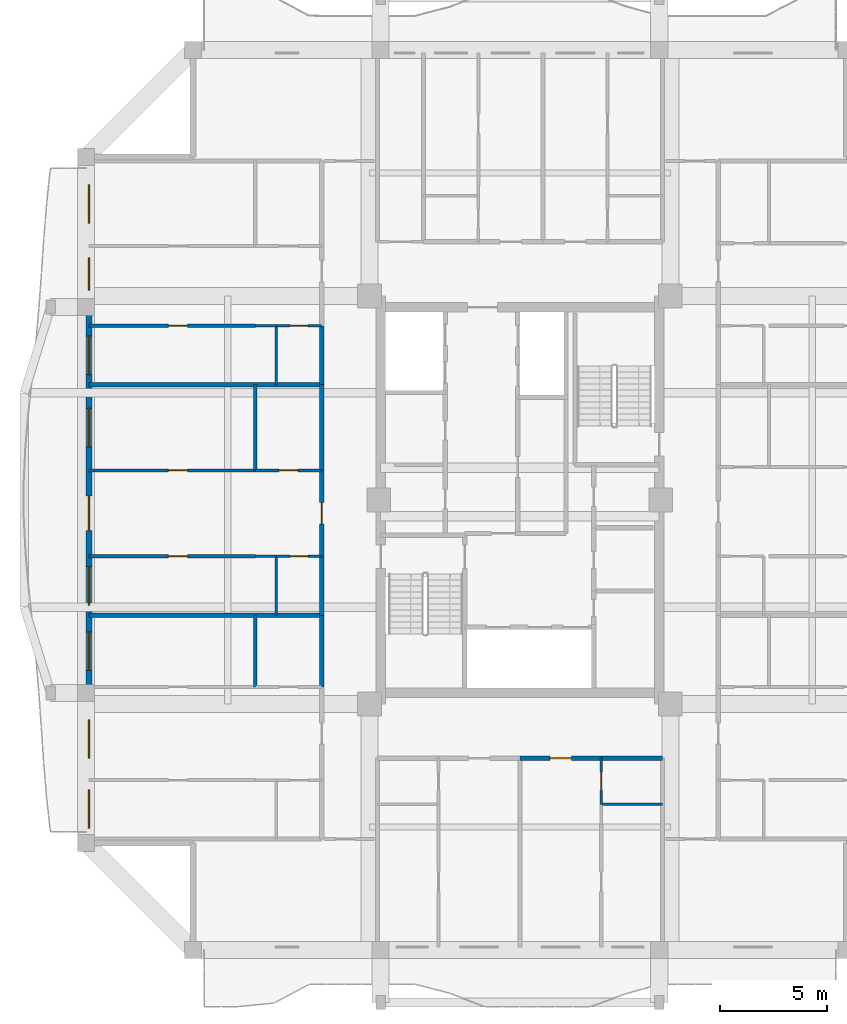
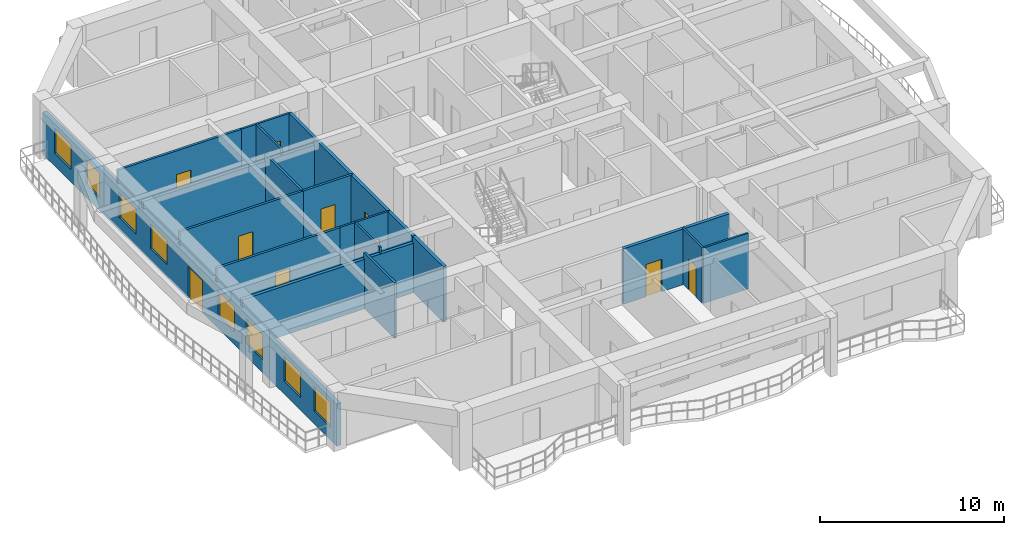
# One storey, part 3 of 13: 24 walls, 10 doors, 8 windows, 18 openings.
"""IFC4 building model written with IfcOpenShell, lengths in metres."""

from ifc_helpers import new_model, si_unit, direction, frame, frame_2d, origin, place, context, subcontext, project, spatial, rectangle, extrude, source, transform, mapped, material, layer, layer_set, type_object, element, fill, save


model = new_model("IFC4")

# Units and contexts
model_context = context("Model", 3, precision=1e-05, world=origin(), true_north=direction((0.0, 1.0)))
body_context = subcontext(model_context, "Body", "Model", "MODEL_VIEW")
ifc_project = project(units=[si_unit("LENGTHUNIT", "METRE"), si_unit("AREAUNIT", "SQUARE_METRE"), si_unit("VOLUMEUNIT", "CUBIC_METRE"), si_unit("PLANEANGLEUNIT", "RADIAN"), si_unit("MASSUNIT", "GRAM", prefix="KILO")], contexts=[model_context])

# Site, building, storey
site_placement = place(None, origin())
site = spatial("IfcSite", under=ifc_project, at=site_placement, CompositionType="ELEMENT")
building_placement = place(site_placement, origin())
building = spatial("IfcBuilding", under=site, at=building_placement, Name="Saelheon Loggia Tower", CompositionType="ELEMENT")
storey_placement = place(building_placement, frame((0.0, 0.0, 172.89990234375)))
storey = spatial("IfcBuildingStorey", under=building, at=storey_placement, Name="L54", CompositionType="ELEMENT", Elevation=172.89990234375)

# Wall, openings, windows, door
ifc_material_1 = material(Name="Architectural Precast Concrete C40/50", Category="concrete")
ifc_layer_1 = layer(ifc_material_1, 0.280029296875)
ifc_layer_set_1 = layer_set([ifc_layer_1], Name="Architectural Precast Concrete C40/50")
wall_type_1 = type_object("IfcWallType", Name="Wall_Ext_Loggia_280", PredefinedType="SOLIDWALL", material=ifc_layer_set_1)
wall_1_placement = place(storey_placement, frame((17.889892578125, 11.0, 0.0), z_axis=(0.0, 0.0, 1.0), x_axis=(0.0, 1.0, 0.0)))
wall_1 = element("IfcWall", 1, at=wall_1_placement, inside=storey, type_object=wall_type_1, Name="L54 West Loggia Inner Wall", PredefinedType="SOLIDWALL", context=body_context, shape_type="SweptSolid", body=[
    extrude(rectangle(XDim=32.0, YDim=0.280029296875, at=frame_2d((16.0, 0.0))), origin(), (0.0, 0.0, 1.0), 2.7900390625),
])
opening_1_placement = place(wall_1_placement, frame((0.68505859375, 0.0, 0.85009765625)))
opening_1 = element("IfcOpeningElement", 2, at=opening_1_placement, cuts=wall_1, Name="Opening WN-01", PredefinedType="OPENING", context=body_context, shape_type="SweptSolid", body=[
    extrude(rectangle(XDim=1.800048828125, YDim=1.64990234375, at=frame_2d((0.89990234375, 0.824951171875))), frame((0.0, 0.152099609375, 0.0), z_axis=(0.0, -1.0, 0.0), x_axis=(1.0, 0.0, 0.0)), (0.0, 0.0, 1.0), 0.303955078125),
])
opening_2_placement = place(wall_1_placement, frame((3.945068359375, 0.0, 0.85009765625)))
opening_2 = element("IfcOpeningElement", 3, at=opening_2_placement, cuts=wall_1, Name="Opening WN-01", PredefinedType="OPENING", context=body_context, shape_type="SweptSolid", body=[
    extrude(rectangle(XDim=1.800048828125, YDim=1.64990234375, at=frame_2d((0.89990234375, 0.824951171875))), frame((0.0, 0.152099609375, 0.0), z_axis=(0.0, -1.0, 0.0), x_axis=(1.0, 0.0, 0.0)), (0.0, 0.0, 1.0), 0.303955078125),
])
opening_3_placement = place(wall_1_placement, frame((8.050537109375, 0.0, 0.85009765625)))
opening_3 = element("IfcOpeningElement", 4, at=opening_3_placement, cuts=wall_1, Name="Opening WN-01", PredefinedType="OPENING", context=body_context, shape_type="SweptSolid", body=[
    extrude(rectangle(XDim=1.800048828125, YDim=1.64990234375, at=frame_2d((0.89990234375, 0.824951171875))), frame((0.0, 0.152099609375, 0.0), z_axis=(0.0, -1.0, 0.0), x_axis=(1.0, 0.0, 0.0)), (0.0, 0.0, 1.0), 0.303955078125),
])
opening_4_placement = place(wall_1_placement, frame((11.09619140625, 0.0, 0.85009765625)))
opening_4 = element("IfcOpeningElement", 5, at=opening_4_placement, cuts=wall_1, Name="Opening WN-01", PredefinedType="OPENING", context=body_context, shape_type="SweptSolid", body=[
    extrude(rectangle(XDim=1.800048828125, YDim=1.64990234375, at=frame_2d((0.89990234375, 0.824951171875))), frame((0.0, 0.152099609375, 0.0), z_axis=(0.0, -1.0, 0.0), x_axis=(1.0, 0.0, 0.0)), (0.0, 0.0, 1.0), 0.303955078125),
])
opening_5_placement = place(wall_1_placement, frame((14.574951171875, 0.0, 0.0)))
opening_5 = element("IfcOpeningElement", 6, at=opening_5_placement, cuts=wall_1, Name="Opening DLG-1", PredefinedType="OPENING", context=body_context, shape_type="SweptSolid", body=[
    extrude(rectangle(XDim=1.60009765625, YDim=2.14990234375, at=frame_2d((0.800048828125, 1.074951171875))), frame((0.0, 0.152099609375, 0.0), z_axis=(0.0, -1.0, 0.0), x_axis=(1.0, 0.0, 0.0)), (0.0, 0.0, 1.0), 0.303955078125),
])
opening_6_placement = place(wall_1_placement, frame((18.478759765625, 0.0, 0.85009765625)))
opening_6 = element("IfcOpeningElement", 7, at=opening_6_placement, cuts=wall_1, Name="Opening WN-01", PredefinedType="OPENING", context=body_context, shape_type="SweptSolid", body=[
    extrude(rectangle(XDim=1.800048828125, YDim=1.64990234375, at=frame_2d((0.89990234375, 0.824951171875))), frame((0.0, 0.152099609375, 0.0), z_axis=(0.0, -1.0, 0.0), x_axis=(1.0, 0.0, 0.0)), (0.0, 0.0, 1.0), 0.303955078125),
])
opening_7_placement = place(wall_1_placement, frame((21.853759765625, 0.0, 0.85009765625)))
opening_7 = element("IfcOpeningElement", 8, at=opening_7_placement, cuts=wall_1, Name="Opening WN-01", PredefinedType="OPENING", context=body_context, shape_type="SweptSolid", body=[
    extrude(rectangle(XDim=1.800048828125, YDim=1.64990234375, at=frame_2d((0.89990234375, 0.824951171875))), frame((0.0, 0.152099609375, 0.0), z_axis=(0.0, -1.0, 0.0), x_axis=(1.0, 0.0, 0.0)), (0.0, 0.0, 1.0), 0.303955078125),
])
opening_8_placement = place(wall_1_placement, frame((25.796142578125, 0.0, 0.85009765625)))
opening_8 = element("IfcOpeningElement", 9, at=opening_8_placement, cuts=wall_1, Name="Opening WN-02", PredefinedType="OPENING", context=body_context, shape_type="SweptSolid", body=[
    extrude(rectangle(XDim=1.5, YDim=1.64990234375, at=frame_2d((0.75, 0.824951171875))), frame((0.0, 0.152099609375, 0.0), z_axis=(0.0, -1.0, 0.0), x_axis=(1.0, 0.0, 0.0)), (0.0, 0.0, 1.0), 0.303955078125),
])
opening_9_placement = place(wall_1_placement, frame((28.90625, 0.0, 0.85009765625)))
opening_9 = element("IfcOpeningElement", 10, at=opening_9_placement, cuts=wall_1, Name="Opening WN-01", PredefinedType="OPENING", context=body_context, shape_type="SweptSolid", body=[
    extrude(rectangle(XDim=1.800048828125, YDim=1.64990234375, at=frame_2d((0.89990234375, 0.824951171875))), frame((0.0, 0.152099609375, 0.0), z_axis=(0.0, -1.0, 0.0), x_axis=(1.0, 0.0, 0.0)), (0.0, 0.0, 1.0), 0.303955078125),
])
ifc_material_2 = material(Name="Thermal-Break Aluminium and Triple Low-E Glass", Category="aluminium")
window_type_1 = type_object("IfcWindowType", Name="Win_Dwelling_1800x1650", PartitioningType="SINGLE_PANEL", PredefinedType="WINDOW", material=ifc_material_2)
shared_shape_1 = source(origin(), body_context, "Body", "SweptSolid", [
    extrude(rectangle(XDim=1.800048828125, YDim=1.64990234375, at=frame_2d((0.89990234375, 0.824951171875))), frame((0.0, 0.030029296875, 0.0), z_axis=(0.0, -1.0, 0.0), x_axis=(1.0, 0.0, 0.0)), (0.0, 0.0, 1.0), 0.06005859375),
])
window_1_placement = place(opening_1_placement, origin())
window_1 = element("IfcWindow", 11, at=window_1_placement, inside=storey, type_object=window_type_1, Name="L54 W Dwelling Window 1", OverallHeight=1.64990234375, OverallWidth=1.800048828125, PartitioningType="SINGLE_PANEL", PredefinedType="WINDOW", context=body_context, shape_type="MappedRepresentation", body=[
    mapped(shared_shape_1, transform((0.0, 0.0, 0.0), scale=1.0)),
])
fill(opening_1, window_1)
window_2_placement = place(opening_2_placement, origin())
window_2 = element("IfcWindow", 12, at=window_2_placement, inside=storey, type_object=window_type_1, Name="L54 W Dwelling Window 2", OverallHeight=1.64990234375, OverallWidth=1.800048828125, PartitioningType="SINGLE_PANEL", PredefinedType="WINDOW", context=body_context, shape_type="MappedRepresentation", body=[
    mapped(shared_shape_1, transform((0.0, 0.0, 0.0), scale=1.0)),
])
fill(opening_2, window_2)
window_3_placement = place(opening_3_placement, origin())
window_3 = element("IfcWindow", 13, at=window_3_placement, inside=storey, type_object=window_type_1, Name="L54 W Dwelling Window 3", OverallHeight=1.64990234375, OverallWidth=1.800048828125, PartitioningType="SINGLE_PANEL", PredefinedType="WINDOW", context=body_context, shape_type="MappedRepresentation", body=[
    mapped(shared_shape_1, transform((0.0, 0.0, 0.0), scale=1.0)),
])
fill(opening_3, window_3)
window_4_placement = place(opening_4_placement, origin())
window_4 = element("IfcWindow", 14, at=window_4_placement, inside=storey, type_object=window_type_1, Name="L54 W Dwelling Window 4", OverallHeight=1.64990234375, OverallWidth=1.800048828125, PartitioningType="SINGLE_PANEL", PredefinedType="WINDOW", context=body_context, shape_type="MappedRepresentation", body=[
    mapped(shared_shape_1, transform((0.0, 0.0, 0.0), scale=1.0)),
])
fill(opening_4, window_4)
window_5_placement = place(opening_6_placement, origin())
window_5 = element("IfcWindow", 15, at=window_5_placement, inside=storey, type_object=window_type_1, Name="L54 W Dwelling Window 6", OverallHeight=1.64990234375, OverallWidth=1.800048828125, PartitioningType="SINGLE_PANEL", PredefinedType="WINDOW", context=body_context, shape_type="MappedRepresentation", body=[
    mapped(shared_shape_1, transform((0.0, 0.0, 0.0), scale=1.0)),
])
fill(opening_6, window_5)
window_6_placement = place(opening_7_placement, origin())
window_6 = element("IfcWindow", 16, at=window_6_placement, inside=storey, type_object=window_type_1, Name="L54 W Dwelling Window 7", OverallHeight=1.64990234375, OverallWidth=1.800048828125, PartitioningType="SINGLE_PANEL", PredefinedType="WINDOW", context=body_context, shape_type="MappedRepresentation", body=[
    mapped(shared_shape_1, transform((0.0, 0.0, 0.0), scale=1.0)),
])
fill(opening_7, window_6)
window_7_placement = place(opening_9_placement, origin())
window_7 = element("IfcWindow", 17, at=window_7_placement, inside=storey, type_object=window_type_1, Name="L54 W Dwelling Window 9", OverallHeight=1.64990234375, OverallWidth=1.800048828125, PartitioningType="SINGLE_PANEL", PredefinedType="WINDOW", context=body_context, shape_type="MappedRepresentation", body=[
    mapped(shared_shape_1, transform((0.0, 0.0, 0.0), scale=1.0)),
])
fill(opening_9, window_7)
ifc_material_3 = material(Name="Thermal-Break Aluminium Sliding Glazed Door", Category="aluminium")
door_type_1 = type_object("IfcDoorType", Name="Door_LoggiaSlide_1600", OperationType="SLIDING_TO_LEFT", PredefinedType="DOOR", material=ifc_material_3)
shared_shape_2 = source(origin(), body_context, "Body", "SweptSolid", [
    extrude(rectangle(XDim=1.60009765625, YDim=2.14990234375, at=frame_2d((0.800048828125, 1.074951171875))), frame((0.0, 0.02490234375, 0.0), z_axis=(0.0, -1.0, 0.0), x_axis=(1.0, 0.0, 0.0)), (0.0, 0.0, 1.0), 0.050048828125),
])
door_1_placement = place(opening_5_placement, origin())
door_1 = element("IfcDoor", 18, at=door_1_placement, inside=storey, type_object=door_type_1, Name="L54 W Loggia Access Door", OperationType="SLIDING_TO_LEFT", OverallHeight=2.14990234375, OverallWidth=1.60009765625, PredefinedType="DOOR", context=body_context, shape_type="MappedRepresentation", body=[
    mapped(shared_shape_2, transform((0.0, 0.0, 0.0), scale=1.0)),
])
fill(opening_5, door_1)
window_type_2 = type_object("IfcWindowType", Name="Win_Dwelling_1500x1650", PartitioningType="SINGLE_PANEL", PredefinedType="WINDOW", material=ifc_material_2)
shared_shape_3 = source(origin(), body_context, "Body", "SweptSolid", [
    extrude(rectangle(XDim=1.5, YDim=1.64990234375, at=frame_2d((0.75, 0.824951171875))), frame((0.0, 0.030029296875, 0.0), z_axis=(0.0, -1.0, 0.0), x_axis=(1.0, 0.0, 0.0)), (0.0, 0.0, 1.0), 0.06005859375),
])
window_8_placement = place(opening_8_placement, origin())
window_8 = element("IfcWindow", 19, at=window_8_placement, inside=storey, type_object=window_type_2, Name="L54 W Dwelling Window 8", OverallHeight=1.64990234375, OverallWidth=1.5, PartitioningType="SINGLE_PANEL", PredefinedType="WINDOW", context=body_context, shape_type="MappedRepresentation", body=[
    mapped(shared_shape_3, transform((0.0, 0.0, 0.0), scale=1.0)),
])
fill(opening_8, window_8)

# Walls
ifc_material_4 = material(Name="Lightweight Autoclaved Aerated Concrete Block and Acoustic Gypsum", Category="concrete")
ifc_layer_2 = layer(ifc_material_4, 0.14990234375)
ifc_layer_set_2 = layer_set([ifc_layer_2], Name="Lightweight Autoclaved Aerated Concrete Block and Acoustic Gypsum")
wall_type_2 = type_object("IfcWallType", Name="Wall_Part_150", PredefinedType="PARTITIONING", material=ifc_layer_set_2)
wall_2_placement = place(storey_placement, frame((25.64990234375, 18.280029296875, 0.0), z_axis=(0.0, 0.0, 1.0), x_axis=(0.0, 1.0, 0.0)))
element("IfcWall", 20, at=wall_2_placement, inside=storey, type_object=wall_type_2, Name="L54 W Partition V07", PredefinedType="PARTITIONING", context=body_context, shape_type="SweptSolid", body=[
    extrude(rectangle(XDim=3.341064453125, YDim=0.14990234375, at=frame_2d((1.67041015625, 0.0))), origin(), (0.0, 0.0, 1.0), 3.690185546875),
])
wall_3_placement = place(storey_placement, frame((25.64990234375, 28.37890625, 0.0), z_axis=(0.0, 0.0, 1.0), x_axis=(0.0, 1.0, 0.0)))
element("IfcWall", 21, at=wall_3_placement, inside=storey, type_object=wall_type_2, Name="L54 W Partition V18", PredefinedType="PARTITIONING", context=body_context, shape_type="SweptSolid", body=[
    extrude(rectangle(XDim=4.0, YDim=0.14990234375, at=frame_2d((2.0, 0.0))), origin(), (0.0, 0.0, 1.0), 3.690185546875),
])

# Wall, opening, door
wall_4_placement = place(storey_placement, frame((25.64990234375, 24.37109375, 0.0), z_axis=(0.0, 0.0, 1.0), x_axis=(-1.0, 0.0, 0.0)))
wall_4 = element("IfcWall", 22, at=wall_4_placement, inside=storey, type_object=wall_type_2, Name="L54 W Partition U21", PredefinedType="PARTITIONING", context=body_context, shape_type="SweptSolid", body=[
    extrude(rectangle(XDim=7.75, YDim=0.14990234375, at=frame_2d((3.875, 0.0))), origin(), (0.0, 0.0, 1.0), 3.690185546875),
])
opening_10_placement = place(wall_4_placement, frame((3.15966796875, 0.0, 0.0)))
opening_10 = element("IfcOpeningElement", 23, at=opening_10_placement, cuts=wall_4, Name="Opening D-IN2", PredefinedType="OPENING", context=body_context, shape_type="SweptSolid", body=[
    extrude(rectangle(XDim=0.89990234375, YDim=2.10009765625, at=frame_2d((0.449951171875, 1.050048828125))), frame((0.0, 0.0869140625, 0.0), z_axis=(0.0, -1.0, 0.0), x_axis=(1.0, 0.0, 0.0)), (0.0, 0.0, 1.0), 0.173828125),
])
ifc_material_5 = material(Name="Engineered Oak Flush Door", Category="timber")
door_type_2 = type_object("IfcDoorType", Name="Door_Int_900", OperationType="NOTDEFINED", PredefinedType="DOOR", material=ifc_material_5)
shared_shape_4 = source(origin(), body_context, "Body", "SweptSolid", [
    extrude(rectangle(XDim=0.89990234375, YDim=2.10009765625, at=frame_2d((0.449951171875, 1.050048828125))), frame((0.0, 0.02490234375, 0.0), z_axis=(0.0, -1.0, 0.0), x_axis=(1.0, 0.0, 0.0)), (0.0, 0.0, 1.0), 0.050048828125),
])
door_2_placement = place(opening_10_placement, origin())
door_2 = element("IfcDoor", 24, at=door_2_placement, inside=storey, type_object=door_type_2, Name="Unit U06 Kitchen Door", OperationType="SINGLE_SWING_RIGHT", OverallHeight=2.10009765625, OverallWidth=0.89990234375, PredefinedType="DOOR", context=body_context, shape_type="MappedRepresentation", body=[
    mapped(shared_shape_4, transform((0.0, 0.0, 0.0), scale=1.0)),
])
fill(opening_10, door_2)

wall_5_placement = place(storey_placement, frame((28.75, 28.37890625, 0.0), z_axis=(0.0, 0.0, 1.0), x_axis=(-1.0, 0.0, 0.0)))
wall_5 = element("IfcWall", 25, at=wall_5_placement, inside=storey, type_object=wall_type_2, Name="L54 W Partition U22", PredefinedType="PARTITIONING", context=body_context, shape_type="SweptSolid", body=[
    extrude(rectangle(XDim=3.10009765625, YDim=0.14990234375, at=frame_2d((1.550048828125, 0.0))), origin(), (0.0, 0.0, 1.0), 3.690185546875),
])
opening_11_placement = place(wall_5_placement, frame((1.10009765625, 0.0, 0.0)))
opening_11 = element("IfcOpeningElement", 26, at=opening_11_placement, cuts=wall_5, Name="Opening D-IN2", PredefinedType="OPENING", context=body_context, shape_type="SweptSolid", body=[
    extrude(rectangle(XDim=0.89990234375, YDim=2.10009765625, at=frame_2d((0.449951171875, 1.050048828125))), frame((0.0, 0.0869140625, 0.0), z_axis=(0.0, -1.0, 0.0), x_axis=(1.0, 0.0, 0.0)), (0.0, 0.0, 1.0), 0.173828125),
])
door_3_placement = place(opening_11_placement, origin())
door_3 = element("IfcDoor", 27, at=door_3_placement, inside=storey, type_object=door_type_2, Name="Unit U06 Dressing Closet Door", OperationType="SINGLE_SWING_LEFT", OverallHeight=2.10009765625, OverallWidth=0.89990234375, PredefinedType="DOOR", context=body_context, shape_type="MappedRepresentation", body=[
    mapped(shared_shape_4, transform((0.0, 0.0, 0.0), scale=1.0)),
])
fill(opening_11, door_3)

wall_6_placement = place(storey_placement, frame((25.64990234375, 28.37890625, 0.0), z_axis=(0.0, 0.0, 1.0), x_axis=(-1.0, 0.0, 0.0)))
wall_6 = element("IfcWall", 28, at=wall_6_placement, inside=storey, type_object=wall_type_2, Name="L54 W Partition U23", PredefinedType="PARTITIONING", context=body_context, shape_type="SweptSolid", body=[
    extrude(rectangle(XDim=7.75, YDim=0.14990234375, at=frame_2d((3.875, 0.0))), origin(), (0.0, 0.0, 1.0), 3.690185546875),
])
opening_12_placement = place(wall_6_placement, frame((3.15966796875, 0.0, 0.0)))
opening_12 = element("IfcOpeningElement", 29, at=opening_12_placement, cuts=wall_6, Name="Opening D-IN2", PredefinedType="OPENING", context=body_context, shape_type="SweptSolid", body=[
    extrude(rectangle(XDim=0.89990234375, YDim=2.10009765625, at=frame_2d((0.449951171875, 1.050048828125))), frame((0.0, 0.0869140625, 0.0), z_axis=(0.0, -1.0, 0.0), x_axis=(1.0, 0.0, 0.0)), (0.0, 0.0, 1.0), 0.173828125),
])
door_4_placement = place(opening_12_placement, origin())
door_4 = element("IfcDoor", 30, at=door_4_placement, inside=storey, type_object=door_type_2, Name="Unit U06 Bedroom 1 Door", OperationType="SINGLE_SWING_RIGHT", OverallHeight=2.10009765625, OverallWidth=0.89990234375, PredefinedType="DOOR", context=body_context, shape_type="MappedRepresentation", body=[
    mapped(shared_shape_4, transform((0.0, 0.0, 0.0), scale=1.0)),
])
fill(opening_12, door_4)

wall_7_placement = place(storey_placement, frame((25.64990234375, 35.12890625, 0.0), z_axis=(0.0, 0.0, 1.0), x_axis=(-1.0, 0.0, 0.0)))
wall_7 = element("IfcWall", 31, at=wall_7_placement, inside=storey, type_object=wall_type_2, Name="L54 W Partition U32", PredefinedType="PARTITIONING", context=body_context, shape_type="SweptSolid", body=[
    extrude(rectangle(XDim=7.75, YDim=0.14990234375, at=frame_2d((3.875, 0.0))), origin(), (0.0, 0.0, 1.0), 3.690185546875),
])
opening_13_placement = place(wall_7_placement, frame((3.15966796875, 0.0, 0.0)))
opening_13 = element("IfcOpeningElement", 32, at=opening_13_placement, cuts=wall_7, Name="Opening D-IN2", PredefinedType="OPENING", context=body_context, shape_type="SweptSolid", body=[
    extrude(rectangle(XDim=0.89990234375, YDim=2.10009765625, at=frame_2d((0.449951171875, 1.050048828125))), frame((0.0, 0.0869140625, 0.0), z_axis=(0.0, -1.0, 0.0), x_axis=(1.0, 0.0, 0.0)), (0.0, 0.0, 1.0), 0.173828125),
])
door_5_placement = place(opening_13_placement, origin())
door_5 = element("IfcDoor", 33, at=door_5_placement, inside=storey, type_object=door_type_2, Name="Unit U07 Kitchen Door", OperationType="SINGLE_SWING_LEFT", OverallHeight=2.10009765625, OverallWidth=0.89990234375, PredefinedType="DOOR", context=body_context, shape_type="MappedRepresentation", body=[
    mapped(shared_shape_4, transform((0.0, 0.0, 0.0), scale=1.0)),
])
fill(opening_13, door_5)

ifc_material_6 = material(Name="Double Acoustic Stud and Fireboard Partition", Category="gypsum")
ifc_layer_3 = layer(ifc_material_6, 0.199951171875)
ifc_layer_set_3 = layer_set([ifc_layer_3], Name="Double Acoustic Stud and Fireboard Partition")
wall_type_3 = type_object("IfcWallType", Name="Wall_Party_200", PredefinedType="PARTITIONING", material=ifc_layer_set_3)
wall_8_placement = place(storey_placement, frame((38.0, 14.949951171875, 0.0), z_axis=(0.0, 0.0, 1.0), x_axis=(1.0, 0.0, 0.0)))
wall_8 = element("IfcWall", 34, at=wall_8_placement, inside=storey, type_object=wall_type_3, Name="L54 S Partition V10", PredefinedType="PARTITIONING", context=body_context, shape_type="SweptSolid", body=[
    extrude(rectangle(XDim=3.800048828125, YDim=0.199951171875, at=frame_2d((1.89990234375, 0.0))), origin(), (0.0, 0.0, 1.0), 3.690185546875),
])
opening_14_placement = place(wall_8_placement, frame((1.39990234375, 0.0, 0.0)))
opening_14 = element("IfcOpeningElement", 35, at=opening_14_placement, cuts=wall_8, Name="Opening D-FD1", PredefinedType="OPENING", context=body_context, shape_type="SweptSolid", body=[
    extrude(rectangle(XDim=1.0, YDim=2.14990234375, at=frame_2d((0.5, 1.074951171875))), frame((0.0, 0.112060546875, 0.0), z_axis=(0.0, -1.0, 0.0), x_axis=(1.0, 0.0, 0.0)), (0.0, 0.0, 1.0), 0.223876953125),
])
ifc_material_7 = material(Name="Fire-Rated Engineered Timber Entrance Door", Category="wood")
door_type_3 = type_object("IfcDoorType", Name="Door_Flat_FD30S", OperationType="NOTDEFINED", PredefinedType="DOOR", material=ifc_material_7)
shared_shape_5 = source(origin(), body_context, "Body", "SweptSolid", [
    extrude(rectangle(XDim=1.0, YDim=2.14990234375, at=frame_2d((0.5, 1.074951171875))), frame((0.0, 0.02490234375, 0.0), z_axis=(0.0, -1.0, 0.0), x_axis=(1.0, 0.0, 0.0)), (0.0, 0.0, 1.0), 0.050048828125),
])
door_6_placement = place(opening_14_placement, origin())
door_6 = element("IfcDoor", 36, at=door_6_placement, inside=storey, type_object=door_type_3, Name="Unit U02 Entrance Door", OperationType="SINGLE_SWING_LEFT", OverallHeight=2.14990234375, OverallWidth=1.0, PredefinedType="DOOR", context=body_context, shape_type="MappedRepresentation", body=[
    mapped(shared_shape_5, transform((0.0, 0.0, 0.0), scale=1.0)),
])
fill(opening_14, door_6)

# Walls
wall_9_placement = place(storey_placement, frame((41.800048828125, 14.949951171875, 0.0), z_axis=(0.0, 0.0, 1.0), x_axis=(1.0, 0.0, 0.0)))
element("IfcWall", 37, at=wall_9_placement, inside=storey, type_object=wall_type_3, Name="L54 S Partition V11", PredefinedType="PARTITIONING", context=body_context, shape_type="SweptSolid", body=[
    extrude(rectangle(XDim=2.849853515625, YDim=0.199951171875, at=frame_2d((1.4248046875, 0.0))), origin(), (0.0, 0.0, 1.0), 3.690185546875),
])
wall_10_placement = place(storey_placement, frame((28.75, 18.280029296875, 0.0), z_axis=(0.0, 0.0, 1.0), x_axis=(0.0, 1.0, 0.0)))
element("IfcWall", 38, at=wall_10_placement, inside=storey, type_object=wall_type_3, Name="L54 W Partition V05", PredefinedType="PARTITIONING", context=body_context, shape_type="SweptSolid", body=[
    extrude(rectangle(XDim=3.341064453125, YDim=0.199951171875, at=frame_2d((1.67041015625, 0.0))), origin(), (0.0, 0.0, 1.0), 3.690185546875),
])
wall_11_placement = place(storey_placement, frame((28.75, 21.62109375, 0.0), z_axis=(0.0, 0.0, 1.0), x_axis=(-1.0, 0.0, 0.0)))
element("IfcWall", 39, at=wall_11_placement, inside=storey, type_object=wall_type_3, Name="L54 W Partition U13", PredefinedType="PARTITIONING", context=body_context, shape_type="SweptSolid", body=[
    extrude(rectangle(XDim=10.85009765625, YDim=0.199951171875, at=frame_2d((5.425048828125, 0.0))), origin(), (0.0, 0.0, 1.0), 3.2900390625),
])
wall_12_placement = place(storey_placement, frame((28.75, 21.62109375, 0.0), z_axis=(0.0, 0.0, 1.0), x_axis=(0.0, 1.0, 0.0)))
element("IfcWall", 40, at=wall_12_placement, inside=storey, type_object=wall_type_3, Name="L54 W Partition V14", PredefinedType="PARTITIONING", context=body_context, shape_type="SweptSolid", body=[
    extrude(rectangle(XDim=2.75, YDim=0.199951171875, at=frame_2d((1.375, 0.0))), origin(), (0.0, 0.0, 1.0), 3.690185546875),
])

# Wall, opening, door
wall_13_placement = place(storey_placement, frame((28.75, 24.37109375, 0.0), z_axis=(0.0, 0.0, 1.0), x_axis=(0.0, 1.0, 0.0)))
wall_13 = element("IfcWall", 41, at=wall_13_placement, inside=storey, type_object=wall_type_3, Name="L54 W Partition V15", PredefinedType="PARTITIONING", context=body_context, shape_type="SweptSolid", body=[
    extrude(rectangle(XDim=4.0078125, YDim=0.199951171875, at=frame_2d((2.00390625, 0.0))), origin(), (0.0, 0.0, 1.0), 3.690185546875),
])
opening_15_placement = place(wall_13_placement, frame((1.50390625, 0.0, 0.0)))
opening_15 = element("IfcOpeningElement", 42, at=opening_15_placement, cuts=wall_13, Name="Opening D-FD1", PredefinedType="OPENING", context=body_context, shape_type="SweptSolid", body=[
    extrude(rectangle(XDim=1.0, YDim=2.14990234375, at=frame_2d((0.5, 1.074951171875))), frame((0.0, 0.112060546875, 0.0), z_axis=(0.0, -1.0, 0.0), x_axis=(1.0, 0.0, 0.0)), (0.0, 0.0, 1.0), 0.223876953125),
])
door_7_placement = place(opening_15_placement, origin())
door_7 = element("IfcDoor", 43, at=door_7_placement, inside=storey, type_object=door_type_3, Name="Unit U06 Entrance Door", OperationType="SINGLE_SWING_RIGHT", OverallHeight=2.14990234375, OverallWidth=1.0, PredefinedType="DOOR", context=body_context, shape_type="MappedRepresentation", body=[
    mapped(shared_shape_5, transform((0.0, 0.0, 0.0), scale=1.0)),
])
fill(opening_15, door_7)

# Walls
wall_14_placement = place(storey_placement, frame((28.75, 28.37890625, 0.0), z_axis=(0.0, 0.0, 1.0), x_axis=(0.0, 1.0, 0.0)))
element("IfcWall", 44, at=wall_14_placement, inside=storey, type_object=wall_type_3, Name="L54 W Partition V16", PredefinedType="PARTITIONING", context=body_context, shape_type="SweptSolid", body=[
    extrude(rectangle(XDim=4.0, YDim=0.199951171875, at=frame_2d((2.0, 0.0))), origin(), (0.0, 0.0, 1.0), 3.690185546875),
])
wall_15_placement = place(storey_placement, frame((28.75, 32.37890625, 0.0), z_axis=(0.0, 0.0, 1.0), x_axis=(-1.0, 0.0, 0.0)))
element("IfcWall", 45, at=wall_15_placement, inside=storey, type_object=wall_type_3, Name="L54 W Partition U24", PredefinedType="PARTITIONING", context=body_context, shape_type="SweptSolid", body=[
    extrude(rectangle(XDim=10.85009765625, YDim=0.199951171875, at=frame_2d((5.425048828125, 0.0))), origin(), (0.0, 0.0, 1.0), 3.2900390625),
])
wall_16_placement = place(storey_placement, frame((28.75, 32.37890625, 0.0), z_axis=(0.0, 0.0, 1.0), x_axis=(0.0, 1.0, 0.0)))
element("IfcWall", 46, at=wall_16_placement, inside=storey, type_object=wall_type_3, Name="L54 W Partition V25", PredefinedType="PARTITIONING", context=body_context, shape_type="SweptSolid", body=[
    extrude(rectangle(XDim=2.75, YDim=0.199951171875, at=frame_2d((1.375, 0.0))), origin(), (0.0, 0.0, 1.0), 3.690185546875),
])

# Wall, opening, door
ifc_material_8 = material(Name="Moisture-Resistant Cement Board Partition", Category="gypsum")
ifc_layer_4 = layer(ifc_material_8, 0.1201171875)
ifc_layer_set_4 = layer_set([ifc_layer_4], Name="Moisture-Resistant Cement Board Partition")
wall_type_4 = type_object("IfcWallType", Name="Wall_WetPart_120", PredefinedType="PARTITIONING", material=ifc_layer_set_4)
wall_17_placement = place(storey_placement, frame((41.800048828125, 14.949951171875, 0.0), z_axis=(0.0, 0.0, 1.0), x_axis=(0.0, -1.0, 0.0)))
wall_17 = element("IfcWall", 47, at=wall_17_placement, inside=storey, type_object=wall_type_4, Name="L54 S Partition U12", PredefinedType="PARTITIONING", context=body_context, shape_type="SweptSolid", body=[
    extrude(rectangle(XDim=2.14990234375, YDim=0.1201171875, at=frame_2d((1.074951171875, 0.0))), origin(), (0.0, 0.0, 1.0), 3.690185546875),
])
opening_16_placement = place(wall_17_placement, frame((0.64990234375, 0.0, 0.0)))
opening_16 = element("IfcOpeningElement", 48, at=opening_16_placement, cuts=wall_17, Name="Opening D-BT1", PredefinedType="OPENING", context=body_context, shape_type="SweptSolid", body=[
    extrude(rectangle(XDim=0.85009765625, YDim=2.050048828125, at=frame_2d((0.425048828125, 1.02490234375))), frame((0.0, 0.072021484375, 0.0), z_axis=(0.0, -1.0, 0.0), x_axis=(1.0, 0.0, 0.0)), (0.0, 0.0, 1.0), 0.14404296875),
])
ifc_material_9 = material(Name="Moisture-Resistant Laminate Timber Door", Category="wood")
door_type_4 = type_object("IfcDoorType", Name="Door_Bath_850", OperationType="NOTDEFINED", PredefinedType="DOOR", material=ifc_material_9)
shared_shape_6 = source(origin(), body_context, "Body", "SweptSolid", [
    extrude(rectangle(XDim=0.85009765625, YDim=2.050048828125, at=frame_2d((0.425048828125, 1.02490234375))), frame((0.0, 0.02490234375, 0.0), z_axis=(0.0, -1.0, 0.0), x_axis=(1.0, 0.0, 0.0)), (0.0, 0.0, 1.0), 0.050048828125),
])
door_8_placement = place(opening_16_placement, origin())
door_8 = element("IfcDoor", 49, at=door_8_placement, inside=storey, type_object=door_type_4, Name="Unit U02 Bathroom Door", OperationType="SINGLE_SWING_RIGHT", OverallHeight=2.050048828125, OverallWidth=0.85009765625, PredefinedType="DOOR", context=body_context, shape_type="MappedRepresentation", body=[
    mapped(shared_shape_6, transform((0.0, 0.0, 0.0), scale=1.0)),
])
fill(opening_16, door_8)

# Walls
wall_18_placement = place(storey_placement, frame((41.800048828125, 12.800048828125, 0.0), z_axis=(0.0, 0.0, 1.0), x_axis=(1.0, 0.0, 0.0)))
element("IfcWall", 50, at=wall_18_placement, inside=storey, type_object=wall_type_4, Name="L54 S Partition V14", PredefinedType="PARTITIONING", context=body_context, shape_type="SweptSolid", body=[
    extrude(rectangle(XDim=2.849853515625, YDim=0.1201171875, at=frame_2d((1.4248046875, 0.0))), origin(), (0.0, 0.0, 1.0), 3.690185546875),
])
wall_19_placement = place(storey_placement, frame((26.6298828125, 21.62109375, 0.0), z_axis=(0.0, 0.0, 1.0), x_axis=(0.0, 1.0, 0.0)))
element("IfcWall", 51, at=wall_19_placement, inside=storey, type_object=wall_type_4, Name="L54 W Partition V17", PredefinedType="PARTITIONING", context=body_context, shape_type="SweptSolid", body=[
    extrude(rectangle(XDim=2.75, YDim=0.1201171875, at=frame_2d((1.375, 0.0))), origin(), (0.0, 0.0, 1.0), 3.690185546875),
])

# Wall, opening, door
wall_20_placement = place(storey_placement, frame((28.75, 24.37109375, 0.0), z_axis=(0.0, 0.0, 1.0), x_axis=(-1.0, 0.0, 0.0)))
wall_20 = element("IfcWall", 52, at=wall_20_placement, inside=storey, type_object=wall_type_4, Name="L54 W Partition U19", PredefinedType="PARTITIONING", context=body_context, shape_type="SweptSolid", body=[
    extrude(rectangle(XDim=2.1201171875, YDim=0.1201171875, at=frame_2d((1.06005859375, 0.0))), origin(), (0.0, 0.0, 1.0), 3.690185546875),
])
opening_17_placement = place(wall_20_placement, frame((0.635009765625, 0.0, 0.0)))
opening_17 = element("IfcOpeningElement", 53, at=opening_17_placement, cuts=wall_20, Name="Opening D-BT1", PredefinedType="OPENING", context=body_context, shape_type="SweptSolid", body=[
    extrude(rectangle(XDim=0.85009765625, YDim=2.050048828125, at=frame_2d((0.425048828125, 1.02490234375))), frame((0.0, 0.072021484375, 0.0), z_axis=(0.0, -1.0, 0.0), x_axis=(1.0, 0.0, 0.0)), (0.0, 0.0, 1.0), 0.14404296875),
])
door_9_placement = place(opening_17_placement, origin())
door_9 = element("IfcDoor", 54, at=door_9_placement, inside=storey, type_object=door_type_4, Name="Unit U06 Bathroom Door", OperationType="SINGLE_SWING_LEFT", OverallHeight=2.050048828125, OverallWidth=0.85009765625, PredefinedType="DOOR", context=body_context, shape_type="MappedRepresentation", body=[
    mapped(shared_shape_6, transform((0.0, 0.0, 0.0), scale=1.0)),
])
fill(opening_17, door_9)

# Walls
wall_21_placement = place(storey_placement, frame((26.6298828125, 24.37109375, 0.0), z_axis=(0.0, 0.0, 1.0), x_axis=(-1.0, 0.0, 0.0)))
element("IfcWall", 55, at=wall_21_placement, inside=storey, type_object=wall_type_4, Name="L54 W Partition U20", PredefinedType="PARTITIONING", context=body_context, shape_type="SweptSolid", body=[
    extrude(rectangle(XDim=0.97998046875, YDim=0.1201171875, at=frame_2d((0.489990234375, 0.0))), origin(), (0.0, 0.0, 1.0), 3.690185546875),
])
wall_22_placement = place(storey_placement, frame((26.6298828125, 32.37890625, 0.0), z_axis=(0.0, 0.0, 1.0), x_axis=(0.0, 1.0, 0.0)))
element("IfcWall", 56, at=wall_22_placement, inside=storey, type_object=wall_type_4, Name="L54 W Partition V28", PredefinedType="PARTITIONING", context=body_context, shape_type="SweptSolid", body=[
    extrude(rectangle(XDim=2.75, YDim=0.1201171875, at=frame_2d((1.375, 0.0))), origin(), (0.0, 0.0, 1.0), 3.690185546875),
])

# Wall, opening, door
wall_23_placement = place(storey_placement, frame((28.75, 35.12890625, 0.0), z_axis=(0.0, 0.0, 1.0), x_axis=(-1.0, 0.0, 0.0)))
wall_23 = element("IfcWall", 57, at=wall_23_placement, inside=storey, type_object=wall_type_4, Name="L54 W Partition U30", PredefinedType="PARTITIONING", context=body_context, shape_type="SweptSolid", body=[
    extrude(rectangle(XDim=2.1201171875, YDim=0.1201171875, at=frame_2d((1.06005859375, 0.0))), origin(), (0.0, 0.0, 1.0), 3.690185546875),
])
opening_18_placement = place(wall_23_placement, frame((0.635009765625, 0.0, 0.0)))
opening_18 = element("IfcOpeningElement", 58, at=opening_18_placement, cuts=wall_23, Name="Opening D-BT1", PredefinedType="OPENING", context=body_context, shape_type="SweptSolid", body=[
    extrude(rectangle(XDim=0.85009765625, YDim=2.050048828125, at=frame_2d((0.425048828125, 1.02490234375))), frame((0.0, 0.072021484375, 0.0), z_axis=(0.0, -1.0, 0.0), x_axis=(1.0, 0.0, 0.0)), (0.0, 0.0, 1.0), 0.14404296875),
])
door_10_placement = place(opening_18_placement, origin())
door_10 = element("IfcDoor", 59, at=door_10_placement, inside=storey, type_object=door_type_4, Name="Unit U07 Bathroom Door", OperationType="SINGLE_SWING_RIGHT", OverallHeight=2.050048828125, OverallWidth=0.85009765625, PredefinedType="DOOR", context=body_context, shape_type="MappedRepresentation", body=[
    mapped(shared_shape_6, transform((0.0, 0.0, 0.0), scale=1.0)),
])
fill(opening_18, door_10)

# Wall
wall_24_placement = place(storey_placement, frame((26.6298828125, 35.12890625, 0.0), z_axis=(0.0, 0.0, 1.0), x_axis=(-1.0, 0.0, 0.0)))
element("IfcWall", 60, at=wall_24_placement, inside=storey, type_object=wall_type_4, Name="L54 W Partition U31", PredefinedType="PARTITIONING", context=body_context, shape_type="SweptSolid", body=[
    extrude(rectangle(XDim=0.97998046875, YDim=0.1201171875, at=frame_2d((0.489990234375, 0.0))), origin(), (0.0, 0.0, 1.0), 3.690185546875),
])

save(model, "model.ifc")
